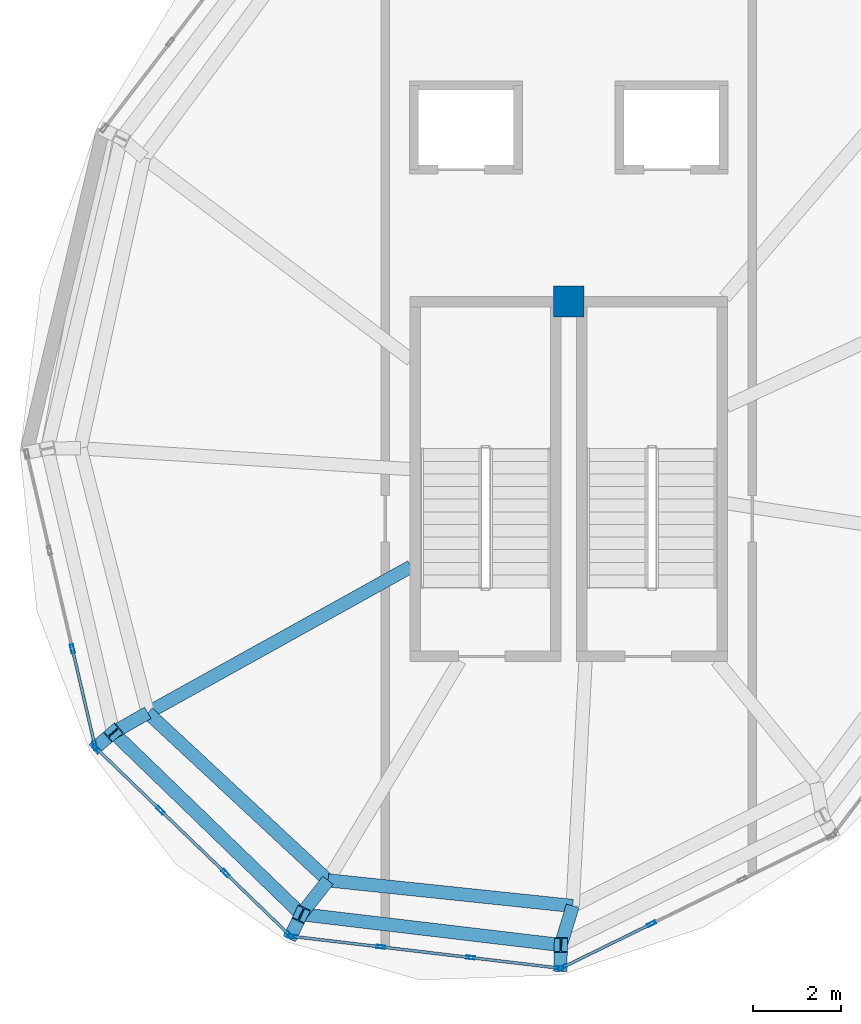
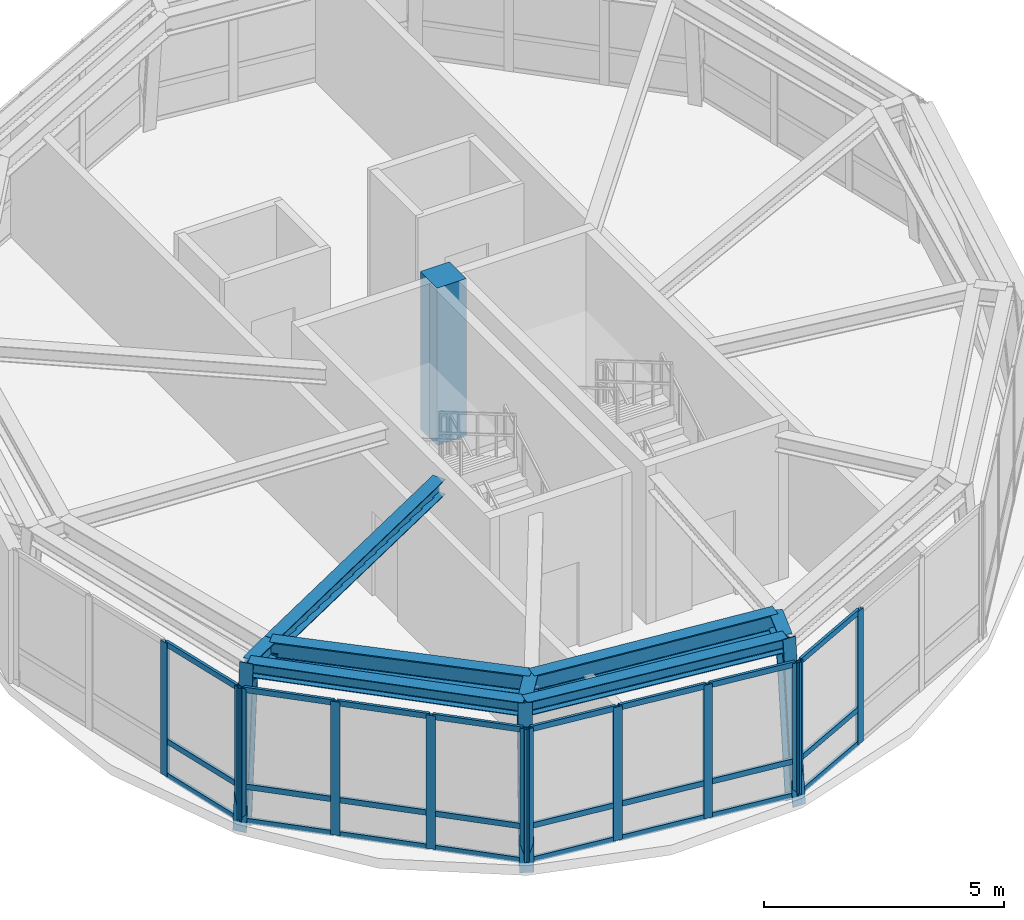
# One storey, part 1 of 9: 39 members, 8 beams, 1 column, 4 elements without a shape of their own.
"""IFC4 building model written with IfcOpenShell, lengths in metres."""

import ifcopenshell
import ifcopenshell.guid

model = None  # the IFC model being written
_history = None  # IfcOwnerHistory: only IFC2X3 demands one
_inside = {}  # id of a spatial element -> (the spatial element, [elements in it])
_under = {}  # id of a project, library or spatial element -> (it, [spatial elements below it])
_declared = {}  # id of a project -> (the project, [libraries it declares])
_typed = {}  # id of a type object -> (the type object, [elements of that type])
_made_of = {}  # id of a material, layer set ... -> (it, [elements and type objects made of it])


def new_model(schema):
    """Start an empty IFC model of exactly this schema.

    Asked for "IFC4X3", IfcOpenShell would pick the latest addendum, in which some entities
    have other attributes; the version numbers below select the first issue.
    IFC2X3 requires an IfcOwnerHistory on every rooted entity: one is made here for all.
    """
    global model, _history
    if schema == "IFC4X3":
        model = ifcopenshell.file(schema_version=(4, 3, 0, 0))
    else:
        model = ifcopenshell.file(schema=schema)
    _inside.clear()
    _under.clear()
    _declared.clear()
    _typed.clear()
    _made_of.clear()
    _history = None
    if model.schema == "IFC2X3":
        org = make("IfcOrganization", Name="unknown")
        user = make(
            "IfcPersonAndOrganization",
            ThePerson=make("IfcPerson", FamilyName="unknown"),
            TheOrganization=org,
        )
        app = make(
            "IfcApplication",
            ApplicationDeveloper=org,
            Version="unknown",
            ApplicationFullName="unknown",
            ApplicationIdentifier="unknown",
        )
        _history = make(
            "IfcOwnerHistory",
            OwningUser=user,
            OwningApplication=app,
            ChangeAction="ADDED",
            CreationDate=0,
        )
    return model


def make(cls, **values):
    """One entity of the class cls with the attributes given. An attribute that is None is left unset."""
    return model.create_entity(
        cls, **{name: value for name, value in values.items() if value is not None}
    )


def rooted(cls, **values):
    """An entity with a GlobalId (a new one), such as an element, a storey or a relation."""
    return make(cls, GlobalId=ifcopenshell.guid.new(), OwnerHistory=_history, **values)


def si_unit(unit_type, name, prefix=None):
    """IfcSIUnit, for example si_unit("LENGTHUNIT", "METRE", prefix="MILLI")."""
    return make("IfcSIUnit", UnitType=unit_type, Prefix=prefix, Name=name)


def assignment(units):
    """IfcUnitAssignment: the units of a project."""
    return None if units is None else make("IfcUnitAssignment", Units=units)


def point(xyz):
    """IfcCartesianPoint."""
    return None if xyz is None else make("IfcCartesianPoint", Coordinates=xyz)


def direction(xyz):
    """IfcDirection."""
    return None if xyz is None else make("IfcDirection", DirectionRatios=xyz)


def frame(location, z_axis=None, x_axis=None):
    """IfcAxis2Placement3D, a coordinate frame: its origin and axes. An axis left out is left unset."""
    return make(
        "IfcAxis2Placement3D",
        Location=point(location),
        Axis=direction(z_axis),
        RefDirection=direction(x_axis),
    )


def frame_2d(location, x_axis=None):
    """IfcAxis2Placement2D, a coordinate frame in the plane: its origin and x axis."""
    return make(
        "IfcAxis2Placement2D", Location=point(location), RefDirection=direction(x_axis)
    )


def origin():
    """The frame at (0, 0, 0) with its axes left unset."""
    return frame((0.0, 0.0, 0.0))


def origin_2d():
    """The frame at (0, 0) in the plane with its x axis left unset."""
    return frame_2d((0.0, 0.0))


def place(relative_to, where):
    """IfcLocalPlacement: puts the frame where relative to a parent placement (None: the world)."""
    return make(
        "IfcLocalPlacement", PlacementRelTo=relative_to, RelativePlacement=where
    )


def context(
    kind, dimensions, precision=None, world=None, true_north=None, identifier=None
):
    """IfcGeometricRepresentationContext, for example the 3D "Model" context."""
    return make(
        "IfcGeometricRepresentationContext",
        ContextIdentifier=identifier,
        ContextType=kind,
        CoordinateSpaceDimension=dimensions,
        Precision=precision,
        WorldCoordinateSystem=world,
        TrueNorth=true_north,
    )


def subcontext(parent, identifier, kind, view, scale=None):
    """IfcGeometricRepresentationSubContext, for example "Body" below "Model"."""
    return make(
        "IfcGeometricRepresentationSubContext",
        ContextIdentifier=identifier,
        ContextType=kind,
        ParentContext=parent,
        TargetScale=scale,
        TargetView=view,
    )


def project(units=None, contexts=None):
    """IfcProject with its units and contexts."""
    return rooted(
        "IfcProject",
        Name="project",
        RepresentationContexts=contexts,
        UnitsInContext=assignment(units),
    )


def spatial(cls, under=None, at=None, **own):
    """A site, building, storey or space (cls), placed at a placement, below another one or the project."""
    s = rooted(cls, ObjectPlacement=at, **own)
    if under is not None:
        _under.setdefault(under.id(), (under, []))[1].append(s)
    return s


def profile(cls, at=None, kind="AREA", **sizes):
    """A parametric profile (cls). Its sizes go by their IFC names, for example OverallWidth=200.0."""
    return make(cls, ProfileType=kind, Position=at, **sizes)


def rectangle(**sizes):
    """IfcRectangleProfileDef."""
    return profile("IfcRectangleProfileDef", **sizes)


def hollow_rectangle(**sizes):
    """IfcRectangleHollowProfileDef."""
    return profile("IfcRectangleHollowProfileDef", **sizes)


def i_section(**sizes):
    """IfcIShapeProfileDef."""
    return profile("IfcIShapeProfileDef", **sizes)


def extrude(swept, where, along, depth):
    """IfcExtrudedAreaSolid: the profile swept, set in the frame where, extruded along a direction by depth."""
    return make(
        "IfcExtrudedAreaSolid",
        SweptArea=swept,
        Position=where,
        ExtrudedDirection=direction(along),
        Depth=depth,
    )


def shape(context_of_items, identifier, shape_type, items):
    """IfcShapeRepresentation: the items that make up one representation, for example the "Body"."""
    return make(
        "IfcShapeRepresentation",
        ContextOfItems=context_of_items,
        RepresentationIdentifier=identifier,
        RepresentationType=shape_type,
        Items=items,
    )


def material(Name=None, Category=None):
    """IfcMaterial."""
    return make("IfcMaterial", Name=Name, Category=Category)


def layer(
    of_material, thickness, ventilated=None, Name=None, Category=None, Priority=None
):
    """IfcMaterialLayer: one layer of a wall or slab, of a material (None: an air gap)."""
    return make(
        "IfcMaterialLayer",
        Material=of_material,
        LayerThickness=thickness,
        IsVentilated=ventilated,
        Name=Name,
        Category=Category,
        Priority=Priority,
    )


def layer_set(layers, Name=None):
    """IfcMaterialLayerSet."""
    return make("IfcMaterialLayerSet", MaterialLayers=layers, LayerSetName=Name)


def material_profile(
    of_material, cross_section, Name=None, Category=None, Priority=None
):
    """IfcMaterialProfile: a cross section and its material."""
    return make(
        "IfcMaterialProfile",
        Name=Name,
        Material=of_material,
        Profile=cross_section,
        Priority=Priority,
        Category=Category,
    )


def profile_set(profiles, Name=None, composite=None):
    """IfcMaterialProfileSet."""
    return make(
        "IfcMaterialProfileSet",
        Name=Name,
        MaterialProfiles=profiles,
        CompositeProfile=composite,
    )


def made_of(thing, what):
    """Note that an element or type object is made of a material, layer set ...; save() writes the relation."""
    if what is not None:
        _made_of.setdefault(what.id(), (what, []))[1].append(thing)
    return thing


def type_object(cls, material=None, **own):
    """A type object (cls), such as IfcWallType, which elements share."""
    return made_of(rooted(cls, **own), material)


def element(
    cls,
    number,
    at=None,
    inside=None,
    cuts=None,
    type_object=None,
    material=None,
    context=None,
    identifier="Body",
    shape_type=None,
    held_by="IfcProductDefinitionShape",
    body=None,
    shapes=None,
    **own,
):
    """One element of the class cls, such as IfcWall. Its Tag is "e" and its number.

    at: its placement. inside: the storey or other place that contains it. cuts: it is an
    opening in that element (IfcRelVoidsElement). A single representation is given by context,
    identifier, shape_type and body (its items); several are given by shapes. held_by: the class
    of the entity that holds the representations. save() writes the other relations.
    """
    e = rooted(cls, Tag="e%d" % number, ObjectPlacement=at, **own)
    if body is not None:
        shapes = [shape(context, identifier, shape_type, body)]
    if shapes is not None:
        e.Representation = make(held_by, Representations=shapes)
    if inside is not None:
        _inside.setdefault(inside.id(), (inside, []))[1].append(e)
    if cuts is not None:
        rooted(
            "IfcRelVoidsElement", RelatingBuildingElement=cuts, RelatedOpeningElement=e
        )
    if type_object is not None:
        _typed.setdefault(type_object.id(), (type_object, []))[1].append(e)
    return made_of(e, material)


def aggregate(whole, parts):
    """IfcRelAggregates: a whole, such as a stair, and the parts it consists of."""
    return rooted("IfcRelAggregates", RelatingObject=whole, RelatedObjects=parts)


def save(model, path):
    """Write the relations noted so far, then the file.

    IfcRelAggregates (storeys below a building ...), IfcRelContainedInSpatialStructure (elements
    in a storey), IfcRelDefinesByType, IfcRelAssociatesMaterial and IfcRelDeclares: one each for
    every whole, place, type object, material and project.
    """
    for whole, parts in _under.values():
        aggregate(whole, parts)
    for where, things in _inside.values():
        rooted(
            "IfcRelContainedInSpatialStructure",
            RelatedElements=things,
            RelatingStructure=where,
        )
    for kind, things in _typed.values():
        rooted("IfcRelDefinesByType", RelatedObjects=things, RelatingType=kind)
    for what, things in _made_of.values():
        rooted("IfcRelAssociatesMaterial", RelatedObjects=things, RelatingMaterial=what)
    for by, libraries in _declared.values():
        rooted("IfcRelDeclares", RelatingContext=by, RelatedDefinitions=libraries)
    model.write(path)


model = new_model("IFC4")

# Units and contexts
model_context = context("Model", 3, precision=1e-05, world=origin(), true_north=direction((0.0, 1.0)))
body_context = subcontext(model_context, "Body", "Model", "MODEL_VIEW")
ifc_project = project(units=[si_unit("LENGTHUNIT", "METRE"), si_unit("AREAUNIT", "SQUARE_METRE"), si_unit("VOLUMEUNIT", "CUBIC_METRE"), si_unit("PLANEANGLEUNIT", "RADIAN"), si_unit("MASSUNIT", "GRAM", prefix="KILO"), si_unit("THERMODYNAMICTEMPERATUREUNIT", "KELVIN"), si_unit("POWERUNIT", "WATT")], contexts=[model_context])

# Site, building, storey
site_placement = place(None, origin())
site = spatial("IfcSite", under=ifc_project, at=site_placement, CompositionType="ELEMENT")
building_placement = place(site_placement, origin())
building = spatial("IfcBuilding", under=site, at=building_placement, Name="Ocrelia Relay Tower", CompositionType="ELEMENT")
storey_placement = place(building_placement, frame((0.0, 0.0, 296.0)))
storey = spatial("IfcBuildingStorey", under=building, at=storey_placement, Name="L74", CompositionType="ELEMENT", Elevation=296.0)

# Column
ifc_material_1 = material(Name="Concrete C50/60", Category="concrete")
ifc_material_profile_1 = material_profile(ifc_material_1, rectangle(XDim=0.699951171875, YDim=0.699951171875, at=origin_2d()), Name="RC-COL-700x700")
ifc_profile_set_1 = profile_set([ifc_material_profile_1], Name="Concrete C50/60")
column_type = type_object("IfcColumnType", Name="COL-CC-700", PredefinedType="COLUMN", material=ifc_profile_set_1)
column_placement = place(storey_placement, frame((34.0, 27.1201171875, 0.0), z_axis=(0.0, 0.0, 1.0), x_axis=(1.0, 0.0, 0.0)))
element("IfcColumn", 1, at=column_placement, inside=storey, type_object=column_type, Name="L74 Crown Central Spine Column", PredefinedType="COLUMN", context=body_context, shape_type="SweptSolid", body=[
    extrude(rectangle(XDim=0.699951171875, YDim=0.699951171875, at=origin_2d()), origin(), (0.0, 0.0, 1.0), 4.0),
])

# Beams
ifc_material_2 = material(Name="Steel S355", Category="steel")
ifc_material_profile_2 = material_profile(ifc_material_2, i_section(OverallWidth=0.300048828125, OverallDepth=0.35009765625, WebThickness=0.010009765625, FlangeThickness=0.017578125, FilletRadius=0.027099609375, at=origin_2d()), Name="HEA 360")
ifc_profile_set_2 = profile_set([ifc_material_profile_2], Name="Steel S355")
beam_type_1 = type_object("IfcBeamType", Name="BM-HEA360", PredefinedType="SPANDREL", material=ifc_profile_set_2)
beam_1_placement = place(storey_placement, frame((23.70361328125, 17.371337890625, 3.574951171875), z_axis=(0.718843168716, -0.695172279935, 0.0), x_axis=(0.695172279935, 0.718843168716, 0.0)))
element("IfcBeam", 2, at=beam_1_placement, inside=storey, type_object=beam_type_1, Name="L74 Crown Faceted Ring Beam R06", PredefinedType="SPANDREL", context=body_context, shape_type="SweptSolid", body=[
    extrude(i_section(OverallWidth=0.300048828125, OverallDepth=0.35009765625, WebThickness=0.010009765625, FlangeThickness=0.017578125, FilletRadius=0.027099609375, at=origin_2d()), origin(), (0.0, 0.0, 1.0), 5.909912109375),
])
beam_2_placement = place(storey_placement, frame((27.951904296875, 13.262939453125, 3.574951171875), z_axis=(0.993050709367, -0.117687249209, 0.0), x_axis=(0.117687249209, 0.993050709367, 0.0)))
element("IfcBeam", 3, at=beam_2_placement, inside=storey, type_object=beam_type_1, Name="L74 Crown Faceted Ring Beam R07", PredefinedType="SPANDREL", context=body_context, shape_type="SweptSolid", body=[
    extrude(i_section(OverallWidth=0.300048828125, OverallDepth=0.35009765625, WebThickness=0.010009765625, FlangeThickness=0.017578125, FilletRadius=0.027099609375, at=origin_2d()), origin(), (0.0, 0.0, 1.0), 5.91015625),
])
ifc_material_profile_3 = material_profile(ifc_material_2, i_section(OverallWidth=0.300048828125, OverallDepth=0.389892578125, WebThickness=0.010986328125, FlangeThickness=0.01904296875, FilletRadius=0.027099609375, at=origin_2d()), Name="HEA 400")
ifc_profile_set_3 = profile_set([ifc_material_profile_3], Name="Steel S355")
beam_type_2 = type_object("IfcBeamType", Name="BM-HEA400", PredefinedType="SPANDREL", material=ifc_profile_set_3)
beam_3_placement = place(storey_placement, frame((24.484619140625, 17.81640625, 3.554931640625), z_axis=(0.874257084263, 0.485463233021, 0.0), x_axis=(-0.485463233021, 0.874257084263, 0.0)))
element("IfcBeam", 4, at=beam_3_placement, inside=storey, type_object=beam_type_2, Name="L74 Crown Radial Floor Beam 06", PredefinedType="SPANDREL", context=body_context, shape_type="SweptSolid", body=[
    extrude(i_section(OverallWidth=0.300048828125, OverallDepth=0.389892578125, WebThickness=0.010986328125, FlangeThickness=0.01904296875, FilletRadius=0.027099609375, at=origin_2d()), origin(), (0.0, 0.0, 1.0), 6.806396484375),
])
ifc_material_profile_4 = material_profile(ifc_material_2, i_section(OverallWidth=0.300048828125, OverallDepth=0.449951171875, WebThickness=0.013916015625, FlangeThickness=0.02587890625, FilletRadius=0.027099609375, at=origin_2d()), Name="HEB 450")
ifc_profile_set_4 = profile_set([ifc_material_profile_4], Name="Steel S355")
beam_type_3 = type_object("IfcBeamType", Name="BM-HEB450", PredefinedType="BEAM", material=ifc_profile_set_4)
beam_4_placement = place(storey_placement, frame((23.70361328125, 17.371337890625, 3.52490234375), z_axis=(0.86882750918, 0.495114895041, 0.0), x_axis=(-0.495114895041, 0.86882750918, 0.0)))
element("IfcBeam", 5, at=beam_4_placement, inside=storey, type_object=beam_type_3, Name="L74 Crown Step Radial Beam ST06", PredefinedType="BEAM", context=body_context, shape_type="SweptSolid", body=[
    extrude(i_section(OverallWidth=0.300048828125, OverallDepth=0.449951171875, WebThickness=0.013916015625, FlangeThickness=0.02587890625, FilletRadius=0.027099609375, at=origin_2d()), origin(), (0.0, 0.0, 1.0), 0.89892578125),
])
beam_5_placement = place(storey_placement, frame((27.951904296875, 13.262939453125, 3.52490234375), z_axis=(0.61977397797, 0.784780361778, 0.0), x_axis=(-0.784780361778, 0.61977397797, 0.0)))
element("IfcBeam", 6, at=beam_5_placement, inside=storey, type_object=beam_type_3, Name="L74 Crown Step Radial Beam ST07", PredefinedType="BEAM", context=body_context, shape_type="SweptSolid", body=[
    extrude(i_section(OverallWidth=0.300048828125, OverallDepth=0.449951171875, WebThickness=0.013916015625, FlangeThickness=0.02587890625, FilletRadius=0.027099609375, at=origin_2d()), origin(), (0.0, 0.0, 1.0), 0.9765625),
])
beam_6_placement = place(storey_placement, frame((33.821044921875, 12.5673828125, 3.52490234375), z_axis=(0.289970646367, 0.957035539698, 0.0), x_axis=(-0.957035539698, 0.289970646367, 0.0)))
element("IfcBeam", 7, at=beam_6_placement, inside=storey, type_object=beam_type_3, Name="L74 Crown Step Radial Beam ST08", PredefinedType="BEAM", context=body_context, shape_type="SweptSolid", body=[
    extrude(i_section(OverallWidth=0.300048828125, OverallDepth=0.449951171875, WebThickness=0.013916015625, FlangeThickness=0.02587890625, FilletRadius=0.027099609375, at=origin_2d()), origin(), (0.0, 0.0, 1.0), 0.921875),
])
ifc_material_profile_5 = material_profile(ifc_material_2, i_section(OverallWidth=0.300048828125, OverallDepth=0.5, WebThickness=0.014404296875, FlangeThickness=0.028076171875, FilletRadius=0.027099609375, at=origin_2d()), Name="HEB 500")
ifc_profile_set_5 = profile_set([ifc_material_profile_5], Name="Steel S355")
beam_type_4 = type_object("IfcBeamType", Name="BM-HEB500", PredefinedType="BEAM", material=ifc_profile_set_5)
beam_7_placement = place(storey_placement, frame((24.484619140625, 17.81640625, 3.5), z_axis=(0.732300774468, -0.680981332867, 0.0), x_axis=(0.680981332867, 0.732300774468, 0.0)))
element("IfcBeam", 8, at=beam_7_placement, inside=storey, type_object=beam_type_4, Name="L74 Crown Step Perimeter Ring Beam SR06", PredefinedType="BEAM", context=body_context, shape_type="SweptSolid", body=[
    extrude(i_section(OverallWidth=0.300048828125, OverallDepth=0.5, WebThickness=0.014404296875, FlangeThickness=0.028076171875, FilletRadius=0.027099609375, at=origin_2d()), origin(), (0.0, 0.0, 1.0), 5.561279296875),
])
beam_8_placement = place(storey_placement, frame((28.55712890625, 14.029296875, 3.5), z_axis=(0.994554892224, -0.104214041055, 0.0), x_axis=(0.104214041055, 0.994554892224, 0.0)))
element("IfcBeam", 9, at=beam_8_placement, inside=storey, type_object=beam_type_4, Name="L74 Crown Step Perimeter Ring Beam SR07", PredefinedType="BEAM", context=body_context, shape_type="SweptSolid", body=[
    extrude(i_section(OverallWidth=0.300048828125, OverallDepth=0.5, WebThickness=0.014404296875, FlangeThickness=0.028076171875, FilletRadius=0.027099609375, at=origin_2d()), origin(), (0.0, 0.0, 1.0), 5.5615234375),
])

# Curtain wall, members
ifc_material_3 = material(Name="Aluminium and solar-control low-E glass", Category="aluminium")
ifc_layer = layer(ifc_material_3, 0.179931640625, Name="Aluminium and solar-control low-E glass")
ifc_layer_set = layer_set([ifc_layer], Name="Aluminium and solar-control low-E glass")
curtain_wall_type = type_object("IfcCurtainWallType", Name="CW-SYS-CROWN-PT", PredefinedType="NOTDEFINED", material=ifc_layer_set)
curtain_wall_1_placement = place(storey_placement, origin())
curtain_wall_1 = element("IfcCurtainWall", 10, at=curtain_wall_1_placement, inside=storey, type_object=curtain_wall_type, Name="L74 Faceted Glass-Point Crown Curtain Wall 05", PredefinedType="NOTDEFINED")
ifc_material_4 = material(Name="Anodised bronze aluminium", Category="aluminium")
ifc_material_profile_6 = material_profile(ifc_material_4, hollow_rectangle(XDim=0.074951171875, YDim=0.199951171875, WallThickness=0.006103515625, at=origin_2d()), Name="CW-MUL-200x75")
ifc_profile_set_6 = profile_set([ifc_material_profile_6], Name="Anodised bronze aluminium")
member_type_1 = type_object("IfcMemberType", Name="CW-SYS-CROWN-PT-MUL", PredefinedType="MULLION", material=ifc_profile_set_6)
member_1_placement = place(storey_placement, frame((22.77880859375, 19.261962890625, 0.0), z_axis=(0.0, 0.0, 1.0), x_axis=(0.974003533407, 0.226532816409, 0.0)))
member_1 = element("IfcMember", 11, at=member_1_placement, type_object=member_type_1, Name="CW-CR mullion 3", PredefinedType="MULLION", context=body_context, shape_type="SweptSolid", body=[
    extrude(hollow_rectangle(XDim=0.074951171875, YDim=0.199951171875, WallThickness=0.006103515625, at=origin_2d()), origin(), (0.0, 0.0, 1.0), 3.389892578125),
])
member_2_placement = place(storey_placement, frame((23.28759765625, 17.07421875, 0.0), z_axis=(0.0, 0.0, 1.0), x_axis=(0.974003533407, 0.226532816409, 0.0)))
member_2 = element("IfcMember", 12, at=member_2_placement, type_object=member_type_1, Name="CW-CR mullion 4", PredefinedType="MULLION", context=body_context, shape_type="SweptSolid", body=[
    extrude(hollow_rectangle(XDim=0.074951171875, YDim=0.199951171875, WallThickness=0.006103515625, at=origin_2d()), origin(), (0.0, 0.0, 1.0), 3.389892578125),
])

curtain_wall_2_placement = place(storey_placement, origin())
curtain_wall_2 = element("IfcCurtainWall", 13, at=curtain_wall_2_placement, inside=storey, type_object=curtain_wall_type, Name="L74 Faceted Glass-Point Crown Curtain Wall 06", PredefinedType="NOTDEFINED")
member_3_placement = place(storey_placement, frame((23.322998046875, 17.01171875, 0.0), z_axis=(0.0, 0.0, 1.0), x_axis=(0.694932384833, 0.719075086837, 0.0)))
member_3 = element("IfcMember", 14, at=member_3_placement, type_object=member_type_1, Name="CW-CR mullion 1", PredefinedType="MULLION", context=body_context, shape_type="SweptSolid", body=[
    extrude(hollow_rectangle(XDim=0.074951171875, YDim=0.199951171875, WallThickness=0.006103515625, at=origin_2d()), origin(), (0.0, 0.0, 1.0), 3.389892578125),
])
member_4_placement = place(storey_placement, frame((24.76953125, 15.61376953125, 0.0), z_axis=(0.0, 0.0, 1.0), x_axis=(0.694932384833, 0.719075086837, 0.0)))
member_4 = element("IfcMember", 15, at=member_4_placement, type_object=member_type_1, Name="CW-CR mullion 2", PredefinedType="MULLION", context=body_context, shape_type="SweptSolid", body=[
    extrude(hollow_rectangle(XDim=0.074951171875, YDim=0.199951171875, WallThickness=0.006103515625, at=origin_2d()), origin(), (0.0, 0.0, 1.0), 3.389892578125),
])
member_5_placement = place(storey_placement, frame((26.24267578125, 14.18994140625, 0.0), z_axis=(0.0, 0.0, 1.0), x_axis=(0.694932384833, 0.719075086837, 0.0)))
member_5 = element("IfcMember", 16, at=member_5_placement, type_object=member_type_1, Name="CW-CR mullion 3", PredefinedType="MULLION", context=body_context, shape_type="SweptSolid", body=[
    extrude(hollow_rectangle(XDim=0.074951171875, YDim=0.199951171875, WallThickness=0.006103515625, at=origin_2d()), origin(), (0.0, 0.0, 1.0), 3.389892578125),
])
member_6_placement = place(storey_placement, frame((27.689208984375, 12.792236328125, 0.0), z_axis=(0.0, 0.0, 1.0), x_axis=(0.694932384833, 0.719075086837, 0.0)))
member_6 = element("IfcMember", 17, at=member_6_placement, type_object=member_type_1, Name="CW-CR mullion 4", PredefinedType="MULLION", context=body_context, shape_type="SweptSolid", body=[
    extrude(hollow_rectangle(XDim=0.074951171875, YDim=0.199951171875, WallThickness=0.006103515625, at=origin_2d()), origin(), (0.0, 0.0, 1.0), 3.389892578125),
])

curtain_wall_3_placement = place(storey_placement, origin())
curtain_wall_3 = element("IfcCurtainWall", 18, at=curtain_wall_3_placement, inside=storey, type_object=curtain_wall_type, Name="L74 Faceted Glass-Point Crown Curtain Wall 07", PredefinedType="NOTDEFINED")
member_7_placement = place(storey_placement, frame((27.75341796875, 12.76171875, 0.0), z_axis=(0.0, 0.0, 1.0), x_axis=(0.118029557759, 0.993010082273, 0.0)))
member_7 = element("IfcMember", 19, at=member_7_placement, type_object=member_type_1, Name="CW-CR mullion 1", PredefinedType="MULLION", context=body_context, shape_type="SweptSolid", body=[
    extrude(hollow_rectangle(XDim=0.074951171875, YDim=0.199951171875, WallThickness=0.006103515625, at=origin_2d()), origin(), (0.0, 0.0, 1.0), 3.389892578125),
])
member_8_placement = place(storey_placement, frame((29.750732421875, 12.524169921875, 0.0), z_axis=(0.0, 0.0, 1.0), x_axis=(0.118029557759, 0.993010082273, 0.0)))
member_8 = element("IfcMember", 20, at=member_8_placement, type_object=member_type_1, Name="CW-CR mullion 2", PredefinedType="MULLION", context=body_context, shape_type="SweptSolid", body=[
    extrude(hollow_rectangle(XDim=0.074951171875, YDim=0.199951171875, WallThickness=0.006103515625, at=origin_2d()), origin(), (0.0, 0.0, 1.0), 3.389892578125),
])
member_9_placement = place(storey_placement, frame((31.785400390625, 12.282470703125, 0.0), z_axis=(0.0, 0.0, 1.0), x_axis=(0.118029557759, 0.993010082273, 0.0)))
member_9 = element("IfcMember", 21, at=member_9_placement, type_object=member_type_1, Name="CW-CR mullion 3", PredefinedType="MULLION", context=body_context, shape_type="SweptSolid", body=[
    extrude(hollow_rectangle(XDim=0.074951171875, YDim=0.199951171875, WallThickness=0.006103515625, at=origin_2d()), origin(), (0.0, 0.0, 1.0), 3.389892578125),
])
member_10_placement = place(storey_placement, frame((33.78271484375, 12.044921875, 0.0), z_axis=(0.0, 0.0, 1.0), x_axis=(0.118029557759, 0.993010082273, 0.0)))
member_10 = element("IfcMember", 22, at=member_10_placement, type_object=member_type_1, Name="CW-CR mullion 4", PredefinedType="MULLION", context=body_context, shape_type="SweptSolid", body=[
    extrude(hollow_rectangle(XDim=0.074951171875, YDim=0.199951171875, WallThickness=0.006103515625, at=origin_2d()), origin(), (0.0, 0.0, 1.0), 3.389892578125),
])

curtain_wall_4_placement = place(storey_placement, origin())
curtain_wall_4 = element("IfcCurtainWall", 23, at=curtain_wall_4_placement, inside=storey, type_object=curtain_wall_type, Name="L74 Faceted Glass-Point Crown Curtain Wall 08", PredefinedType="NOTDEFINED")
member_11_placement = place(storey_placement, frame((33.853515625, 12.05712890625, 0.0), z_axis=(0.0, 0.0, 1.0), x_axis=(-0.440058914423, 0.897968903602, 0.0)))
member_11 = element("IfcMember", 24, at=member_11_placement, type_object=member_type_1, Name="CW-CR mullion 1", PredefinedType="MULLION", context=body_context, shape_type="SweptSolid", body=[
    extrude(hollow_rectangle(XDim=0.074951171875, YDim=0.199951171875, WallThickness=0.006103515625, at=origin_2d()), origin(), (0.0, 0.0, 1.0), 3.389892578125),
])
member_12_placement = place(storey_placement, frame((35.87060546875, 13.045654296875, 0.0), z_axis=(0.0, 0.0, 1.0), x_axis=(-0.440058914423, 0.897968903602, 0.0)))
member_12 = element("IfcMember", 25, at=member_12_placement, type_object=member_type_1, Name="CW-CR mullion 2", PredefinedType="MULLION", context=body_context, shape_type="SweptSolid", body=[
    extrude(hollow_rectangle(XDim=0.074951171875, YDim=0.199951171875, WallThickness=0.006103515625, at=origin_2d()), origin(), (0.0, 0.0, 1.0), 3.389892578125),
])

# Member
ifc_material_profile_7 = material_profile(ifc_material_4, hollow_rectangle(XDim=0.06494140625, YDim=0.139892578125, WallThickness=0.0048828125, at=origin_2d()), Name="CW-TRN-140x65")
ifc_profile_set_7 = profile_set([ifc_material_profile_7], Name="Anodised bronze aluminium")
member_type_2 = type_object("IfcMemberType", Name="CW-SYS-CROWN-PT-TRN", PredefinedType="USERDEFINED", material=ifc_profile_set_7)
member_13_placement = place(storey_placement, frame((22.787353515625, 19.2255859375, 0.032470703125), z_axis=(0.226468838598, -0.974018411091, 0.0), x_axis=(0.974018411091, 0.226468838598, 0.0)))
member_13 = element("IfcMember", 26, at=member_13_placement, type_object=member_type_2, Name="CW-CR transom 3.1", ObjectType="TRANSOM", PredefinedType="USERDEFINED", context=body_context, shape_type="SweptSolid", body=[
    extrude(hollow_rectangle(XDim=0.06494140625, YDim=0.139892578125, WallThickness=0.0048828125, at=origin_2d()), origin(), (0.0, 0.0, 1.0), 2.171142578125),
])

member_14_placement = place(storey_placement, frame((22.787353515625, 19.2255859375, 0.89990234375), z_axis=(0.226468838598, -0.974018411091, 0.0), x_axis=(0.974018411091, 0.226468838598, 0.0)))
member_14 = element("IfcMember", 27, at=member_14_placement, type_object=member_type_2, Name="CW-CR transom 3.2", ObjectType="TRANSOM", PredefinedType="USERDEFINED", context=body_context, shape_type="SweptSolid", body=[
    extrude(hollow_rectangle(XDim=0.06494140625, YDim=0.139892578125, WallThickness=0.0048828125, at=origin_2d()), origin(), (0.0, 0.0, 1.0), 2.171142578125),
])

member_15_placement = place(storey_placement, frame((22.787353515625, 19.2255859375, 3.357421875), z_axis=(0.226468838598, -0.974018411091, 0.0), x_axis=(0.974018411091, 0.226468838598, 0.0)))
member_15 = element("IfcMember", 28, at=member_15_placement, type_object=member_type_2, Name="CW-CR transom 3.3", ObjectType="TRANSOM", PredefinedType="USERDEFINED", context=body_context, shape_type="SweptSolid", body=[
    extrude(hollow_rectangle(XDim=0.06494140625, YDim=0.139892578125, WallThickness=0.0048828125, at=origin_2d()), origin(), (0.0, 0.0, 1.0), 2.171142578125),
])

aggregate(curtain_wall_1, [member_1, member_2, member_13, member_14, member_15])

member_16_placement = place(storey_placement, frame((23.35009765625, 16.985595703125, 0.032470703125), z_axis=(0.719045077923, -0.694963434948, 0.0), x_axis=(0.694963434948, 0.719045077923, 0.0)))
member_16 = element("IfcMember", 29, at=member_16_placement, type_object=member_type_2, Name="CW-CR transom 1.1", ObjectType="TRANSOM", PredefinedType="USERDEFINED", context=body_context, shape_type="SweptSolid", body=[
    extrude(hollow_rectangle(XDim=0.06494140625, YDim=0.139892578125, WallThickness=0.0048828125, at=origin_2d()), origin(), (0.0, 0.0, 1.0), 1.936279296875),
])

member_17_placement = place(storey_placement, frame((23.35009765625, 16.985595703125, 0.89990234375), z_axis=(0.719045077923, -0.694963434948, 0.0), x_axis=(0.694963434948, 0.719045077923, 0.0)))
member_17 = element("IfcMember", 30, at=member_17_placement, type_object=member_type_2, Name="CW-CR transom 1.2", ObjectType="TRANSOM", PredefinedType="USERDEFINED", context=body_context, shape_type="SweptSolid", body=[
    extrude(hollow_rectangle(XDim=0.06494140625, YDim=0.139892578125, WallThickness=0.0048828125, at=origin_2d()), origin(), (0.0, 0.0, 1.0), 1.936279296875),
])

member_18_placement = place(storey_placement, frame((23.35009765625, 16.985595703125, 3.357421875), z_axis=(0.719045077923, -0.694963434948, 0.0), x_axis=(0.694963434948, 0.719045077923, 0.0)))
member_18 = element("IfcMember", 31, at=member_18_placement, type_object=member_type_2, Name="CW-CR transom 1.3", ObjectType="TRANSOM", PredefinedType="USERDEFINED", context=body_context, shape_type="SweptSolid", body=[
    extrude(hollow_rectangle(XDim=0.06494140625, YDim=0.139892578125, WallThickness=0.0048828125, at=origin_2d()), origin(), (0.0, 0.0, 1.0), 1.936279296875),
])

member_19_placement = place(storey_placement, frame((24.79638671875, 15.587890625, 0.032470703125), z_axis=(0.719062535993, -0.694945371473, 0.0), x_axis=(0.694945371473, 0.719062535993, 0.0)))
member_19 = element("IfcMember", 32, at=member_19_placement, type_object=member_type_2, Name="CW-CR transom 2.1", ObjectType="TRANSOM", PredefinedType="USERDEFINED", context=body_context, shape_type="SweptSolid", body=[
    extrude(hollow_rectangle(XDim=0.06494140625, YDim=0.139892578125, WallThickness=0.0048828125, at=origin_2d()), origin(), (0.0, 0.0, 1.0), 1.97412109375),
])

member_20_placement = place(storey_placement, frame((24.79638671875, 15.587890625, 0.89990234375), z_axis=(0.719062535993, -0.694945371473, 0.0), x_axis=(0.694945371473, 0.719062535993, 0.0)))
member_20 = element("IfcMember", 33, at=member_20_placement, type_object=member_type_2, Name="CW-CR transom 2.2", ObjectType="TRANSOM", PredefinedType="USERDEFINED", context=body_context, shape_type="SweptSolid", body=[
    extrude(hollow_rectangle(XDim=0.06494140625, YDim=0.139892578125, WallThickness=0.0048828125, at=origin_2d()), origin(), (0.0, 0.0, 1.0), 1.97412109375),
])

member_21_placement = place(storey_placement, frame((24.79638671875, 15.587890625, 3.357421875), z_axis=(0.719062535993, -0.694945371473, 0.0), x_axis=(0.694945371473, 0.719062535993, 0.0)))
member_21 = element("IfcMember", 34, at=member_21_placement, type_object=member_type_2, Name="CW-CR transom 2.3", ObjectType="TRANSOM", PredefinedType="USERDEFINED", context=body_context, shape_type="SweptSolid", body=[
    extrude(hollow_rectangle(XDim=0.06494140625, YDim=0.139892578125, WallThickness=0.0048828125, at=origin_2d()), origin(), (0.0, 0.0, 1.0), 1.97412109375),
])

member_22_placement = place(storey_placement, frame((26.269775390625, 14.163818359375, 0.032470703125), z_axis=(0.719045077923, -0.694963434948, 0.0), x_axis=(0.694963434948, 0.719045077923, 0.0)))
member_22 = element("IfcMember", 35, at=member_22_placement, type_object=member_type_2, Name="CW-CR transom 3.1", ObjectType="TRANSOM", PredefinedType="USERDEFINED", context=body_context, shape_type="SweptSolid", body=[
    extrude(hollow_rectangle(XDim=0.06494140625, YDim=0.139892578125, WallThickness=0.0048828125, at=origin_2d()), origin(), (0.0, 0.0, 1.0), 1.936279296875),
])

member_23_placement = place(storey_placement, frame((26.269775390625, 14.163818359375, 0.89990234375), z_axis=(0.719045077923, -0.694963434948, 0.0), x_axis=(0.694963434948, 0.719045077923, 0.0)))
member_23 = element("IfcMember", 36, at=member_23_placement, type_object=member_type_2, Name="CW-CR transom 3.2", ObjectType="TRANSOM", PredefinedType="USERDEFINED", context=body_context, shape_type="SweptSolid", body=[
    extrude(hollow_rectangle(XDim=0.06494140625, YDim=0.139892578125, WallThickness=0.0048828125, at=origin_2d()), origin(), (0.0, 0.0, 1.0), 1.936279296875),
])

member_24_placement = place(storey_placement, frame((26.269775390625, 14.163818359375, 3.357421875), z_axis=(0.719045077923, -0.694963434948, 0.0), x_axis=(0.694963434948, 0.719045077923, 0.0)))
member_24 = element("IfcMember", 37, at=member_24_placement, type_object=member_type_2, Name="CW-CR transom 3.3", ObjectType="TRANSOM", PredefinedType="USERDEFINED", context=body_context, shape_type="SweptSolid", body=[
    extrude(hollow_rectangle(XDim=0.06494140625, YDim=0.139892578125, WallThickness=0.0048828125, at=origin_2d()), origin(), (0.0, 0.0, 1.0), 1.936279296875),
])

aggregate(curtain_wall_2, [member_3, member_4, member_5, member_6, member_16, member_17, member_18, member_19, member_20, member_21, member_22, member_23, member_24])

member_25_placement = place(storey_placement, frame((27.79052734375, 12.75732421875, 0.032470703125), z_axis=(0.993012215486, -0.118011609154, 0.0), x_axis=(0.118011609154, 0.993012215486, 0.0)))
member_25 = element("IfcMember", 38, at=member_25_placement, type_object=member_type_2, Name="CW-CR transom 1.1", ObjectType="TRANSOM", PredefinedType="USERDEFINED", context=body_context, shape_type="SweptSolid", body=[
    extrude(hollow_rectangle(XDim=0.06494140625, YDim=0.139892578125, WallThickness=0.0048828125, at=origin_2d()), origin(), (0.0, 0.0, 1.0), 1.936279296875),
])

member_26_placement = place(storey_placement, frame((27.79052734375, 12.75732421875, 0.89990234375), z_axis=(0.993012215486, -0.118011609154, 0.0), x_axis=(0.118011609154, 0.993012215486, 0.0)))
member_26 = element("IfcMember", 39, at=member_26_placement, type_object=member_type_2, Name="CW-CR transom 1.2", ObjectType="TRANSOM", PredefinedType="USERDEFINED", context=body_context, shape_type="SweptSolid", body=[
    extrude(hollow_rectangle(XDim=0.06494140625, YDim=0.139892578125, WallThickness=0.0048828125, at=origin_2d()), origin(), (0.0, 0.0, 1.0), 1.936279296875),
])

member_27_placement = place(storey_placement, frame((27.79052734375, 12.75732421875, 3.357421875), z_axis=(0.993012215486, -0.118011609154, 0.0), x_axis=(0.118011609154, 0.993012215486, 0.0)))
member_27 = element("IfcMember", 40, at=member_27_placement, type_object=member_type_2, Name="CW-CR transom 1.3", ObjectType="TRANSOM", PredefinedType="USERDEFINED", context=body_context, shape_type="SweptSolid", body=[
    extrude(hollow_rectangle(XDim=0.06494140625, YDim=0.139892578125, WallThickness=0.0048828125, at=origin_2d()), origin(), (0.0, 0.0, 1.0), 1.936279296875),
])

member_28_placement = place(storey_placement, frame((29.787841796875, 12.519775390625, 0.032470703125), z_axis=(0.993014865142, -0.117989311414, 0.0), x_axis=(0.117989311414, 0.993014865142, 0.0)))
member_28 = element("IfcMember", 41, at=member_28_placement, type_object=member_type_2, Name="CW-CR transom 2.1", ObjectType="TRANSOM", PredefinedType="USERDEFINED", context=body_context, shape_type="SweptSolid", body=[
    extrude(hollow_rectangle(XDim=0.06494140625, YDim=0.139892578125, WallThickness=0.0048828125, at=origin_2d()), origin(), (0.0, 0.0, 1.0), 1.973876953125),
])

member_29_placement = place(storey_placement, frame((29.787841796875, 12.519775390625, 0.89990234375), z_axis=(0.993014865142, -0.117989311414, 0.0), x_axis=(0.117989311414, 0.993014865142, 0.0)))
member_29 = element("IfcMember", 42, at=member_29_placement, type_object=member_type_2, Name="CW-CR transom 2.2", ObjectType="TRANSOM", PredefinedType="USERDEFINED", context=body_context, shape_type="SweptSolid", body=[
    extrude(hollow_rectangle(XDim=0.06494140625, YDim=0.139892578125, WallThickness=0.0048828125, at=origin_2d()), origin(), (0.0, 0.0, 1.0), 1.973876953125),
])

member_30_placement = place(storey_placement, frame((29.787841796875, 12.519775390625, 3.357421875), z_axis=(0.993014865142, -0.117989311414, 0.0), x_axis=(0.117989311414, 0.993014865142, 0.0)))
member_30 = element("IfcMember", 43, at=member_30_placement, type_object=member_type_2, Name="CW-CR transom 2.3", ObjectType="TRANSOM", PredefinedType="USERDEFINED", context=body_context, shape_type="SweptSolid", body=[
    extrude(hollow_rectangle(XDim=0.06494140625, YDim=0.139892578125, WallThickness=0.0048828125, at=origin_2d()), origin(), (0.0, 0.0, 1.0), 1.973876953125),
])

member_31_placement = place(storey_placement, frame((31.822509765625, 12.278076171875, 0.032470703125), z_axis=(0.993012215486, -0.118011609154, 0.0), x_axis=(0.118011609154, 0.993012215486, 0.0)))
member_31 = element("IfcMember", 44, at=member_31_placement, type_object=member_type_2, Name="CW-CR transom 3.1", ObjectType="TRANSOM", PredefinedType="USERDEFINED", context=body_context, shape_type="SweptSolid", body=[
    extrude(hollow_rectangle(XDim=0.06494140625, YDim=0.139892578125, WallThickness=0.0048828125, at=origin_2d()), origin(), (0.0, 0.0, 1.0), 1.936279296875),
])

member_32_placement = place(storey_placement, frame((31.822509765625, 12.278076171875, 0.89990234375), z_axis=(0.993012215486, -0.118011609154, 0.0), x_axis=(0.118011609154, 0.993012215486, 0.0)))
member_32 = element("IfcMember", 45, at=member_32_placement, type_object=member_type_2, Name="CW-CR transom 3.2", ObjectType="TRANSOM", PredefinedType="USERDEFINED", context=body_context, shape_type="SweptSolid", body=[
    extrude(hollow_rectangle(XDim=0.06494140625, YDim=0.139892578125, WallThickness=0.0048828125, at=origin_2d()), origin(), (0.0, 0.0, 1.0), 1.936279296875),
])

member_33_placement = place(storey_placement, frame((31.822509765625, 12.278076171875, 3.357421875), z_axis=(0.993012215486, -0.118011609154, 0.0), x_axis=(0.118011609154, 0.993012215486, 0.0)))
member_33 = element("IfcMember", 46, at=member_33_placement, type_object=member_type_2, Name="CW-CR transom 3.3", ObjectType="TRANSOM", PredefinedType="USERDEFINED", context=body_context, shape_type="SweptSolid", body=[
    extrude(hollow_rectangle(XDim=0.06494140625, YDim=0.139892578125, WallThickness=0.0048828125, at=origin_2d()), origin(), (0.0, 0.0, 1.0), 1.936279296875),
])

aggregate(curtain_wall_3, [member_7, member_8, member_9, member_10, member_25, member_26, member_27, member_28, member_29, member_30, member_31, member_32, member_33])

member_34_placement = place(storey_placement, frame((33.88720703125, 12.073486328125, 0.032470703125), z_axis=(0.897952089543, 0.440093222949, 0.0), x_axis=(-0.440093222949, 0.897952089543, 0.0)))
member_34 = element("IfcMember", 47, at=member_34_placement, type_object=member_type_2, Name="CW-CR transom 1.1", ObjectType="TRANSOM", PredefinedType="USERDEFINED", context=body_context, shape_type="SweptSolid", body=[
    extrude(hollow_rectangle(XDim=0.06494140625, YDim=0.139892578125, WallThickness=0.0048828125, at=origin_2d()), origin(), (0.0, 0.0, 1.0), 2.17138671875),
])

member_35_placement = place(storey_placement, frame((33.88720703125, 12.073486328125, 0.89990234375), z_axis=(0.897952089543, 0.440093222949, 0.0), x_axis=(-0.440093222949, 0.897952089543, 0.0)))
member_35 = element("IfcMember", 48, at=member_35_placement, type_object=member_type_2, Name="CW-CR transom 1.2", ObjectType="TRANSOM", PredefinedType="USERDEFINED", context=body_context, shape_type="SweptSolid", body=[
    extrude(hollow_rectangle(XDim=0.06494140625, YDim=0.139892578125, WallThickness=0.0048828125, at=origin_2d()), origin(), (0.0, 0.0, 1.0), 2.17138671875),
])

member_36_placement = place(storey_placement, frame((33.88720703125, 12.073486328125, 3.357421875), z_axis=(0.897952089543, 0.440093222949, 0.0), x_axis=(-0.440093222949, 0.897952089543, 0.0)))
member_36 = element("IfcMember", 49, at=member_36_placement, type_object=member_type_2, Name="CW-CR transom 1.3", ObjectType="TRANSOM", PredefinedType="USERDEFINED", context=body_context, shape_type="SweptSolid", body=[
    extrude(hollow_rectangle(XDim=0.06494140625, YDim=0.139892578125, WallThickness=0.0048828125, at=origin_2d()), origin(), (0.0, 0.0, 1.0), 2.17138671875),
])

aggregate(curtain_wall_4, [member_11, member_12, member_34, member_35, member_36])

# Members
ifc_material_profile_8 = material_profile(ifc_material_2, i_section(OverallWidth=0.300048828125, OverallDepth=0.340087890625, WebThickness=0.011962890625, FlangeThickness=0.021484375, FilletRadius=0.027099609375, at=origin_2d()), Name="HEB 340")
ifc_profile_set_8 = profile_set([ifc_material_profile_8], Name="Steel S355")
member_type_3 = type_object("IfcMemberType", Name="MB-CROWN-RIB", PredefinedType="STRUT", material=ifc_profile_set_8)
member_37_placement = place(storey_placement, frame((23.37841796875, 17.094482421875, -0.25), z_axis=(0.080839347282, 0.068822687551, 0.994348247652), x_axis=(-0.648245586072, 0.761431323323, 0.0)))
element("IfcMember", 50, at=member_37_placement, inside=storey, type_object=member_type_3, Name="L74 Crown Faceted Structural Strut Rib CR06", PredefinedType="STRUT", context=body_context, shape_type="SweptSolid", body=[
    extrude(i_section(OverallWidth=0.300048828125, OverallDepth=0.340087890625, WebThickness=0.011962890625, FlangeThickness=0.021484375, FilletRadius=0.027099609375, at=origin_2d()), origin(), (0.0, 0.0, 1.0), 4.022705078125),
])
member_38_placement = place(storey_placement, frame((27.759033203125, 12.8564453125, -0.25), z_axis=(0.047915604992, 0.100986686471, 0.993733255936), x_axis=(-0.90346143044, 0.428669387416, 0.0)))
element("IfcMember", 51, at=member_38_placement, inside=storey, type_object=member_type_3, Name="L74 Crown Faceted Structural Strut Rib CR07", PredefinedType="STRUT", context=body_context, shape_type="SweptSolid", body=[
    extrude(i_section(OverallWidth=0.300048828125, OverallDepth=0.340087890625, WebThickness=0.011962890625, FlangeThickness=0.021484375, FilletRadius=0.027099609375, at=origin_2d()), origin(), (0.0, 0.0, 1.0), 4.025146484375),
])
member_39_placement = place(storey_placement, frame((33.81201171875, 12.140380859375, -0.25), z_axis=(0.002245536639, 0.106147123816, 0.994347899717), x_axis=(-0.999776309215, 0.021150213517, 0.0)))
element("IfcMember", 52, at=member_39_placement, inside=storey, type_object=member_type_3, Name="L74 Crown Faceted Structural Strut Rib CR08", PredefinedType="STRUT", context=body_context, shape_type="SweptSolid", body=[
    extrude(i_section(OverallWidth=0.300048828125, OverallDepth=0.340087890625, WebThickness=0.011962890625, FlangeThickness=0.021484375, FilletRadius=0.027099609375, at=origin_2d()), origin(), (0.0, 0.0, 1.0), 4.022705078125),
])

save(model, "model.ifc")
